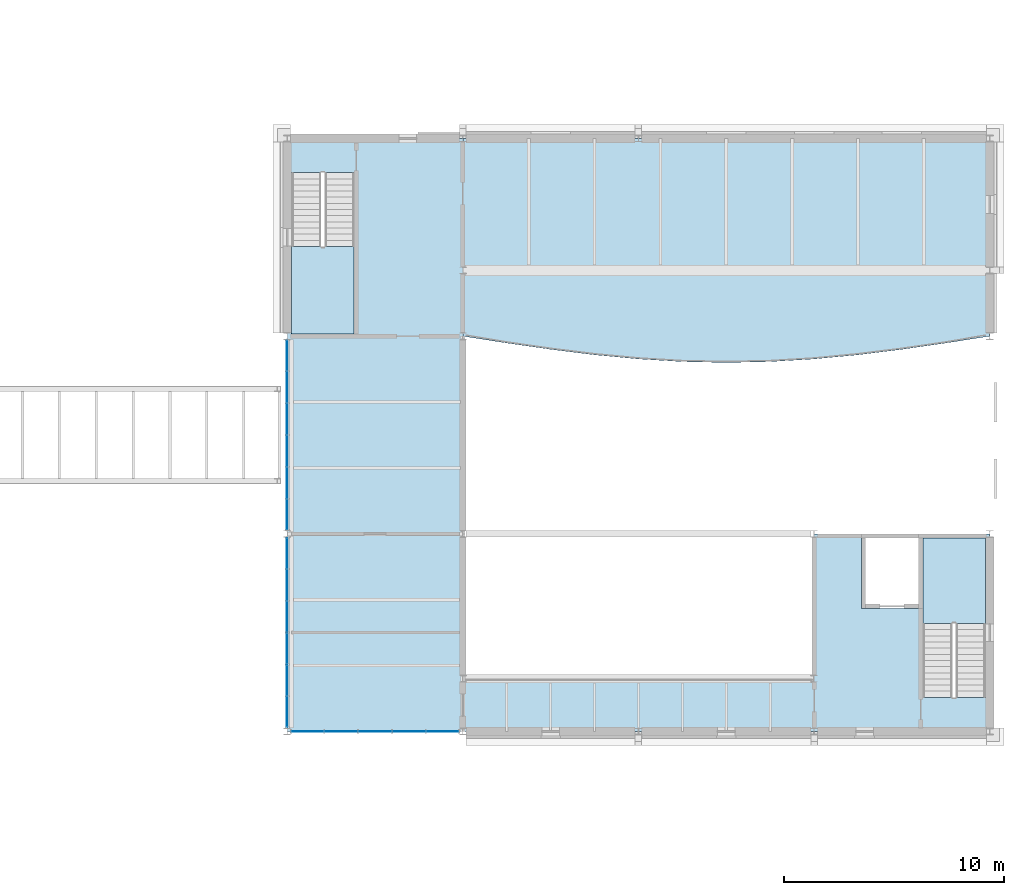
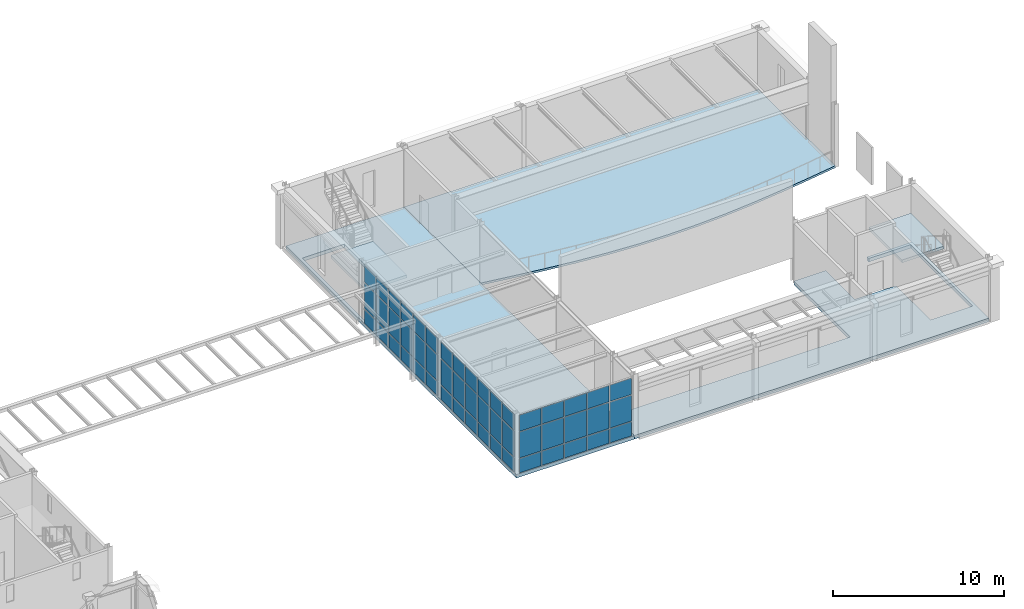
# One storey, part 89 of 153: 51 plates, 5 slabs, 5 elements without a shape of their own.
"""IFC4 building model written with IfcOpenShell, lengths in metres."""

from ifc_helpers import new_model, si_unit, direction, frame, origin, origin_2d, place, context, subcontext, project, spatial, polyline, rectangle, outline, extrude, material, layer, layer_set, type_object, element, aggregate, save


model = new_model("IFC4")

# Units and contexts
model_context = context("Model", 3, precision=1e-05, world=origin(), true_north=direction((0.0, 1.0)))
body_context = subcontext(model_context, "Body", "Model", "MODEL_VIEW")
ifc_project = project(units=[si_unit("LENGTHUNIT", "METRE"), si_unit("AREAUNIT", "SQUARE_METRE"), si_unit("VOLUMEUNIT", "CUBIC_METRE"), si_unit("PLANEANGLEUNIT", "RADIAN"), si_unit("MASSUNIT", "GRAM", prefix="KILO")], contexts=[model_context])

# Site, building, storey
site_placement = place(None, origin())
site = spatial("IfcSite", under=ifc_project, at=site_placement, CompositionType="ELEMENT")
building_placement = place(site_placement, origin())
building = spatial("IfcBuilding", under=site, at=building_placement, Name="Kallimachos Central Library", CompositionType="ELEMENT")
storey_placement = place(building_placement, frame((0.0, 0.0, 5.39990234375)))
storey = spatial("IfcBuildingStorey", under=building, at=storey_placement, Name="L01", CompositionType="ELEMENT", Elevation=5.39990234375)

# Slabs
ifc_material_1 = material(Name="Composite slab C30/37 on steel deck", Category="concrete")
ifc_layer_1 = layer(ifc_material_1, 0.14990234375)
ifc_layer_set_1 = layer_set([ifc_layer_1], Name="Composite floor slab 150")
slab_type_1 = type_object("IfcSlabType", Name="Composite floor slab 150", PredefinedType="FLOOR", material=ifc_layer_set_1)
slab_1_placement = place(storey_placement, frame((0.0, 0.0, -0.14990234375)))
element("IfcSlab", 1, at=slab_1_placement, inside=storey, type_object=slab_type_1, Name="V3-SLB-L01-003", PredefinedType="FLOOR", context=body_context, shape_type="SweptSolid", body=[
    extrude(outline(polyline([(146.0, 114.0), (170.0, 114.0), (170.0, 105.0), (168.0, 104.68896484375), (166.0, 104.39990234375), (164.0, 104.15087890625), (162.0, 103.9609375), (160.0, 103.841064453125), (158.0, 103.800048828125), (156.0, 103.841064453125), (154.0, 103.9609375), (152.0, 104.15087890625), (150.0, 104.39990234375), (148.0, 104.68896484375), (146.0, 105.0), (146.0, 114.0)])), origin(), (0.0, 0.0, 1.0), 0.14990234375),
])
ifc_material_2 = material(Name="Composite slab C30/37 on steel deck", Category="concrete")
ifc_layer_2 = layer(ifc_material_2, 0.25)
ifc_layer_set_2 = layer_set([ifc_layer_2], Name="Core floor slab 250")
slab_type_2 = type_object("IfcSlabType", Name="Core floor slab 250", PredefinedType="FLOOR", material=ifc_layer_set_2)
slab_2_placement = place(storey_placement, frame((0.0, 0.0, -0.25)))
element("IfcSlab", 2, at=slab_2_placement, inside=storey, type_object=slab_type_2, Name="V3-SLB-L01-001", PredefinedType="FLOOR", context=body_context, shape_type="SweptSolid", body=[
    extrude(outline(polyline([(138.0, 87.0), (138.0, 114.0), (146.0, 114.0), (146.0, 87.0), (138.0, 87.0)]), holes=[polyline([(138.199951171875, 105.199951171875), (141.050048828125, 105.199951171875), (141.050048828125, 112.446044921875), (138.199951171875, 112.446044921875), (138.199951171875, 105.199951171875)])]), origin(), (0.0, 0.0, 1.0), 0.25),
])
slab_3_placement = place(storey_placement, frame((0.0, 0.0, -0.25)))
element("IfcSlab", 3, at=slab_3_placement, inside=storey, type_object=slab_type_2, Name="V3-SLB-L01-002", PredefinedType="FLOOR", context=body_context, shape_type="SweptSolid", body=[
    extrude(outline(polyline([(146.0, 89.39990234375), (162.0, 89.39990234375), (162.0, 96.0), (164.14990234375, 96.0), (164.14990234375, 92.60009765625), (166.949951171875, 92.60009765625), (166.949951171875, 88.553955078125), (169.800048828125, 88.553955078125), (169.800048828125, 95.800048828125), (166.949951171875, 95.800048828125), (166.949951171875, 96.0), (170.0, 96.0), (170.0, 87.0), (146.0, 87.0), (146.0, 89.39990234375)])), origin(), (0.0, 0.0, 1.0), 0.25),
])

# Curtain wall, plates
ifc_material_3 = material(Name="Laminated glass in anodised aluminium", Category="aluminium")
curtain_wall_type = type_object("IfcCurtainWallType", Name="Foyer curtain wall", PredefinedType="NOTDEFINED", material=ifc_material_3)
curtain_wall_1_placement = place(storey_placement, origin())
curtain_wall_1 = element("IfcCurtainWall", 4, at=curtain_wall_1_placement, inside=storey, type_object=curtain_wall_type, Name="V3-CWL-L01-001", PredefinedType="NOTDEFINED")
ifc_material_4 = material(Name="Laminated glass", Category="glass")
ifc_layer_3 = layer(ifc_material_4, 0.028076171875)
ifc_layer_set_3 = layer_set([ifc_layer_3], Name="Curtain wall glass panel 28")
plate_type = type_object("IfcPlateType", Name="Curtain wall glass panel 28", PredefinedType="CURTAIN_PANEL", material=ifc_layer_set_3)
plate_1_placement = place(storey_placement, frame((138.0, 87.889892578125, 0.06005859375), z_axis=(0.0, 0.0, 1.0), x_axis=(0.0, 1.0, 0.0)))
plate_1 = element("IfcPlate", 5, at=plate_1_placement, type_object=plate_type, Name="CW panel 1.1", PredefinedType="CURTAIN_PANEL", context=body_context, shape_type="SweptSolid", body=[
    extrude(rectangle(XDim=1.360107421875, YDim=0.028076171875, at=origin_2d()), origin(), (0.0, 0.0, 1.0), 1.010009765625),
])
plate_2_placement = place(storey_placement, frame((138.0, 87.889892578125, 1.1298828125), z_axis=(0.0, 0.0, 1.0), x_axis=(0.0, 1.0, 0.0)))
plate_2 = element("IfcPlate", 6, at=plate_2_placement, type_object=plate_type, Name="CW panel 1.2", PredefinedType="CURTAIN_PANEL", context=body_context, shape_type="SweptSolid", body=[
    extrude(rectangle(XDim=1.360107421875, YDim=0.028076171875, at=origin_2d()), origin(), (0.0, 0.0, 1.0), 1.840087890625),
])
plate_3_placement = place(storey_placement, frame((138.0, 87.889892578125, 3.0302734375), z_axis=(0.0, 0.0, 1.0), x_axis=(0.0, 1.0, 0.0)))
plate_3 = element("IfcPlate", 7, at=plate_3_placement, type_object=plate_type, Name="CW panel 1.3", PredefinedType="CURTAIN_PANEL", context=body_context, shape_type="SweptSolid", body=[
    extrude(rectangle(XDim=1.360107421875, YDim=0.028076171875, at=origin_2d()), origin(), (0.0, 0.0, 1.0), 1.159912109375),
])
plate_4_placement = place(storey_placement, frame((138.0, 89.324951171875, 0.06005859375), z_axis=(0.0, 0.0, 1.0), x_axis=(0.0, 1.0, 0.0)))
plate_4 = element("IfcPlate", 8, at=plate_4_placement, type_object=plate_type, Name="CW panel 2.1", PredefinedType="CURTAIN_PANEL", context=body_context, shape_type="SweptSolid", body=[
    extrude(rectangle(XDim=1.389892578125, YDim=0.028076171875, at=origin_2d()), origin(), (0.0, 0.0, 1.0), 1.010009765625),
])
plate_5_placement = place(storey_placement, frame((138.0, 89.324951171875, 1.1298828125), z_axis=(0.0, 0.0, 1.0), x_axis=(0.0, 1.0, 0.0)))
plate_5 = element("IfcPlate", 9, at=plate_5_placement, type_object=plate_type, Name="CW panel 2.2", PredefinedType="CURTAIN_PANEL", context=body_context, shape_type="SweptSolid", body=[
    extrude(rectangle(XDim=1.389892578125, YDim=0.028076171875, at=origin_2d()), origin(), (0.0, 0.0, 1.0), 1.840087890625),
])
plate_6_placement = place(storey_placement, frame((138.0, 89.324951171875, 3.0302734375), z_axis=(0.0, 0.0, 1.0), x_axis=(0.0, 1.0, 0.0)))
plate_6 = element("IfcPlate", 10, at=plate_6_placement, type_object=plate_type, Name="CW panel 2.3", PredefinedType="CURTAIN_PANEL", context=body_context, shape_type="SweptSolid", body=[
    extrude(rectangle(XDim=1.389892578125, YDim=0.028076171875, at=origin_2d()), origin(), (0.0, 0.0, 1.0), 1.159912109375),
])
plate_7_placement = place(storey_placement, frame((138.0, 90.77490234375, 0.06005859375), z_axis=(0.0, 0.0, 1.0), x_axis=(0.0, 1.0, 0.0)))
plate_7 = element("IfcPlate", 11, at=plate_7_placement, type_object=plate_type, Name="CW panel 3.1", PredefinedType="CURTAIN_PANEL", context=body_context, shape_type="SweptSolid", body=[
    extrude(rectangle(XDim=1.389892578125, YDim=0.028076171875, at=origin_2d()), origin(), (0.0, 0.0, 1.0), 1.010009765625),
])
plate_8_placement = place(storey_placement, frame((138.0, 90.77490234375, 1.1298828125), z_axis=(0.0, 0.0, 1.0), x_axis=(0.0, 1.0, 0.0)))
plate_8 = element("IfcPlate", 12, at=plate_8_placement, type_object=plate_type, Name="CW panel 3.2", PredefinedType="CURTAIN_PANEL", context=body_context, shape_type="SweptSolid", body=[
    extrude(rectangle(XDim=1.389892578125, YDim=0.028076171875, at=origin_2d()), origin(), (0.0, 0.0, 1.0), 1.840087890625),
])
plate_9_placement = place(storey_placement, frame((138.0, 90.77490234375, 3.0302734375), z_axis=(0.0, 0.0, 1.0), x_axis=(0.0, 1.0, 0.0)))
plate_9 = element("IfcPlate", 13, at=plate_9_placement, type_object=plate_type, Name="CW panel 3.3", PredefinedType="CURTAIN_PANEL", context=body_context, shape_type="SweptSolid", body=[
    extrude(rectangle(XDim=1.389892578125, YDim=0.028076171875, at=origin_2d()), origin(), (0.0, 0.0, 1.0), 1.159912109375),
])
plate_10_placement = place(storey_placement, frame((138.0, 92.22509765625, 0.06005859375), z_axis=(0.0, 0.0, 1.0), x_axis=(0.0, 1.0, 0.0)))
plate_10 = element("IfcPlate", 14, at=plate_10_placement, type_object=plate_type, Name="CW panel 4.1", PredefinedType="CURTAIN_PANEL", context=body_context, shape_type="SweptSolid", body=[
    extrude(rectangle(XDim=1.389892578125, YDim=0.028076171875, at=origin_2d()), origin(), (0.0, 0.0, 1.0), 1.010009765625),
])
plate_11_placement = place(storey_placement, frame((138.0, 92.22509765625, 1.1298828125), z_axis=(0.0, 0.0, 1.0), x_axis=(0.0, 1.0, 0.0)))
plate_11 = element("IfcPlate", 15, at=plate_11_placement, type_object=plate_type, Name="CW panel 4.2", PredefinedType="CURTAIN_PANEL", context=body_context, shape_type="SweptSolid", body=[
    extrude(rectangle(XDim=1.389892578125, YDim=0.028076171875, at=origin_2d()), origin(), (0.0, 0.0, 1.0), 1.840087890625),
])
plate_12_placement = place(storey_placement, frame((138.0, 92.22509765625, 3.0302734375), z_axis=(0.0, 0.0, 1.0), x_axis=(0.0, 1.0, 0.0)))
plate_12 = element("IfcPlate", 16, at=plate_12_placement, type_object=plate_type, Name="CW panel 4.3", PredefinedType="CURTAIN_PANEL", context=body_context, shape_type="SweptSolid", body=[
    extrude(rectangle(XDim=1.389892578125, YDim=0.028076171875, at=origin_2d()), origin(), (0.0, 0.0, 1.0), 1.159912109375),
])
plate_13_placement = place(storey_placement, frame((138.0, 93.675048828125, 0.06005859375), z_axis=(0.0, 0.0, 1.0), x_axis=(0.0, 1.0, 0.0)))
plate_13 = element("IfcPlate", 17, at=plate_13_placement, type_object=plate_type, Name="CW panel 5.1", PredefinedType="CURTAIN_PANEL", context=body_context, shape_type="SweptSolid", body=[
    extrude(rectangle(XDim=1.389892578125, YDim=0.028076171875, at=origin_2d()), origin(), (0.0, 0.0, 1.0), 1.010009765625),
])
plate_14_placement = place(storey_placement, frame((138.0, 93.675048828125, 1.1298828125), z_axis=(0.0, 0.0, 1.0), x_axis=(0.0, 1.0, 0.0)))
plate_14 = element("IfcPlate", 18, at=plate_14_placement, type_object=plate_type, Name="CW panel 5.2", PredefinedType="CURTAIN_PANEL", context=body_context, shape_type="SweptSolid", body=[
    extrude(rectangle(XDim=1.389892578125, YDim=0.028076171875, at=origin_2d()), origin(), (0.0, 0.0, 1.0), 1.840087890625),
])
plate_15_placement = place(storey_placement, frame((138.0, 93.675048828125, 3.0302734375), z_axis=(0.0, 0.0, 1.0), x_axis=(0.0, 1.0, 0.0)))
plate_15 = element("IfcPlate", 19, at=plate_15_placement, type_object=plate_type, Name="CW panel 5.3", PredefinedType="CURTAIN_PANEL", context=body_context, shape_type="SweptSolid", body=[
    extrude(rectangle(XDim=1.389892578125, YDim=0.028076171875, at=origin_2d()), origin(), (0.0, 0.0, 1.0), 1.159912109375),
])
plate_16_placement = place(storey_placement, frame((138.0, 95.110107421875, 0.06005859375), z_axis=(0.0, 0.0, 1.0), x_axis=(0.0, 1.0, 0.0)))
plate_16 = element("IfcPlate", 20, at=plate_16_placement, type_object=plate_type, Name="CW panel 6.1", PredefinedType="CURTAIN_PANEL", context=body_context, shape_type="SweptSolid", body=[
    extrude(rectangle(XDim=1.360107421875, YDim=0.028076171875, at=origin_2d()), origin(), (0.0, 0.0, 1.0), 1.010009765625),
])
plate_17_placement = place(storey_placement, frame((138.0, 95.110107421875, 1.1298828125), z_axis=(0.0, 0.0, 1.0), x_axis=(0.0, 1.0, 0.0)))
plate_17 = element("IfcPlate", 21, at=plate_17_placement, type_object=plate_type, Name="CW panel 6.2", PredefinedType="CURTAIN_PANEL", context=body_context, shape_type="SweptSolid", body=[
    extrude(rectangle(XDim=1.360107421875, YDim=0.028076171875, at=origin_2d()), origin(), (0.0, 0.0, 1.0), 1.840087890625),
])
plate_18_placement = place(storey_placement, frame((138.0, 95.110107421875, 3.0302734375), z_axis=(0.0, 0.0, 1.0), x_axis=(0.0, 1.0, 0.0)))
plate_18 = element("IfcPlate", 22, at=plate_18_placement, type_object=plate_type, Name="CW panel 6.3", PredefinedType="CURTAIN_PANEL", context=body_context, shape_type="SweptSolid", body=[
    extrude(rectangle(XDim=1.360107421875, YDim=0.028076171875, at=origin_2d()), origin(), (0.0, 0.0, 1.0), 1.159912109375),
])
aggregate(curtain_wall_1, [plate_1, plate_2, plate_3, plate_4, plate_5, plate_6, plate_7, plate_8, plate_9, plate_10, plate_11, plate_12, plate_13, plate_14, plate_15, plate_16, plate_17, plate_18])

curtain_wall_2_placement = place(storey_placement, origin())
curtain_wall_2 = element("IfcCurtainWall", 23, at=curtain_wall_2_placement, inside=storey, type_object=curtain_wall_type, Name="V3-CWL-L01-002", PredefinedType="NOTDEFINED")
plate_19_placement = place(storey_placement, frame((138.0, 96.889892578125, 0.06005859375), z_axis=(0.0, 0.0, 1.0), x_axis=(0.0, 1.0, 0.0)))
plate_19 = element("IfcPlate", 24, at=plate_19_placement, type_object=plate_type, Name="CW panel 1.1", PredefinedType="CURTAIN_PANEL", context=body_context, shape_type="SweptSolid", body=[
    extrude(rectangle(XDim=1.360107421875, YDim=0.028076171875, at=origin_2d()), origin(), (0.0, 0.0, 1.0), 1.010009765625),
])
plate_20_placement = place(storey_placement, frame((138.0, 96.889892578125, 1.1298828125), z_axis=(0.0, 0.0, 1.0), x_axis=(0.0, 1.0, 0.0)))
plate_20 = element("IfcPlate", 25, at=plate_20_placement, type_object=plate_type, Name="CW panel 1.2", PredefinedType="CURTAIN_PANEL", context=body_context, shape_type="SweptSolid", body=[
    extrude(rectangle(XDim=1.360107421875, YDim=0.028076171875, at=origin_2d()), origin(), (0.0, 0.0, 1.0), 1.840087890625),
])
plate_21_placement = place(storey_placement, frame((138.0, 96.889892578125, 3.0302734375), z_axis=(0.0, 0.0, 1.0), x_axis=(0.0, 1.0, 0.0)))
plate_21 = element("IfcPlate", 26, at=plate_21_placement, type_object=plate_type, Name="CW panel 1.3", PredefinedType="CURTAIN_PANEL", context=body_context, shape_type="SweptSolid", body=[
    extrude(rectangle(XDim=1.360107421875, YDim=0.028076171875, at=origin_2d()), origin(), (0.0, 0.0, 1.0), 1.159912109375),
])
plate_22_placement = place(storey_placement, frame((138.0, 98.324951171875, 0.06005859375), z_axis=(0.0, 0.0, 1.0), x_axis=(0.0, 1.0, 0.0)))
plate_22 = element("IfcPlate", 27, at=plate_22_placement, type_object=plate_type, Name="CW panel 2.1", PredefinedType="CURTAIN_PANEL", context=body_context, shape_type="SweptSolid", body=[
    extrude(rectangle(XDim=1.389892578125, YDim=0.028076171875, at=origin_2d()), origin(), (0.0, 0.0, 1.0), 1.010009765625),
])
plate_23_placement = place(storey_placement, frame((138.0, 98.324951171875, 1.1298828125), z_axis=(0.0, 0.0, 1.0), x_axis=(0.0, 1.0, 0.0)))
plate_23 = element("IfcPlate", 28, at=plate_23_placement, type_object=plate_type, Name="CW panel 2.2", PredefinedType="CURTAIN_PANEL", context=body_context, shape_type="SweptSolid", body=[
    extrude(rectangle(XDim=1.389892578125, YDim=0.028076171875, at=origin_2d()), origin(), (0.0, 0.0, 1.0), 1.840087890625),
])
plate_24_placement = place(storey_placement, frame((138.0, 98.324951171875, 3.0302734375), z_axis=(0.0, 0.0, 1.0), x_axis=(0.0, 1.0, 0.0)))
plate_24 = element("IfcPlate", 29, at=plate_24_placement, type_object=plate_type, Name="CW panel 2.3", PredefinedType="CURTAIN_PANEL", context=body_context, shape_type="SweptSolid", body=[
    extrude(rectangle(XDim=1.389892578125, YDim=0.028076171875, at=origin_2d()), origin(), (0.0, 0.0, 1.0), 1.159912109375),
])
plate_25_placement = place(storey_placement, frame((138.0, 99.77490234375, 0.06005859375), z_axis=(0.0, 0.0, 1.0), x_axis=(0.0, 1.0, 0.0)))
plate_25 = element("IfcPlate", 30, at=plate_25_placement, type_object=plate_type, Name="CW panel 3.1", PredefinedType="CURTAIN_PANEL", context=body_context, shape_type="SweptSolid", body=[
    extrude(rectangle(XDim=1.389892578125, YDim=0.028076171875, at=origin_2d()), origin(), (0.0, 0.0, 1.0), 1.010009765625),
])
plate_26_placement = place(storey_placement, frame((138.0, 99.77490234375, 1.1298828125), z_axis=(0.0, 0.0, 1.0), x_axis=(0.0, 1.0, 0.0)))
plate_26 = element("IfcPlate", 31, at=plate_26_placement, type_object=plate_type, Name="CW panel 3.2", PredefinedType="CURTAIN_PANEL", context=body_context, shape_type="SweptSolid", body=[
    extrude(rectangle(XDim=1.389892578125, YDim=0.028076171875, at=origin_2d()), origin(), (0.0, 0.0, 1.0), 1.840087890625),
])
plate_27_placement = place(storey_placement, frame((138.0, 99.77490234375, 3.0302734375), z_axis=(0.0, 0.0, 1.0), x_axis=(0.0, 1.0, 0.0)))
plate_27 = element("IfcPlate", 32, at=plate_27_placement, type_object=plate_type, Name="CW panel 3.3", PredefinedType="CURTAIN_PANEL", context=body_context, shape_type="SweptSolid", body=[
    extrude(rectangle(XDim=1.389892578125, YDim=0.028076171875, at=origin_2d()), origin(), (0.0, 0.0, 1.0), 1.159912109375),
])
plate_28_placement = place(storey_placement, frame((138.0, 101.22509765625, 0.06005859375), z_axis=(0.0, 0.0, 1.0), x_axis=(0.0, 1.0, 0.0)))
plate_28 = element("IfcPlate", 33, at=plate_28_placement, type_object=plate_type, Name="CW panel 4.1", PredefinedType="CURTAIN_PANEL", context=body_context, shape_type="SweptSolid", body=[
    extrude(rectangle(XDim=1.389892578125, YDim=0.028076171875, at=origin_2d()), origin(), (0.0, 0.0, 1.0), 1.010009765625),
])
plate_29_placement = place(storey_placement, frame((138.0, 101.22509765625, 1.1298828125), z_axis=(0.0, 0.0, 1.0), x_axis=(0.0, 1.0, 0.0)))
plate_29 = element("IfcPlate", 34, at=plate_29_placement, type_object=plate_type, Name="CW panel 4.2", PredefinedType="CURTAIN_PANEL", context=body_context, shape_type="SweptSolid", body=[
    extrude(rectangle(XDim=1.389892578125, YDim=0.028076171875, at=origin_2d()), origin(), (0.0, 0.0, 1.0), 1.840087890625),
])
plate_30_placement = place(storey_placement, frame((138.0, 101.22509765625, 3.0302734375), z_axis=(0.0, 0.0, 1.0), x_axis=(0.0, 1.0, 0.0)))
plate_30 = element("IfcPlate", 35, at=plate_30_placement, type_object=plate_type, Name="CW panel 4.3", PredefinedType="CURTAIN_PANEL", context=body_context, shape_type="SweptSolid", body=[
    extrude(rectangle(XDim=1.389892578125, YDim=0.028076171875, at=origin_2d()), origin(), (0.0, 0.0, 1.0), 1.159912109375),
])
plate_31_placement = place(storey_placement, frame((138.0, 102.675048828125, 0.06005859375), z_axis=(0.0, 0.0, 1.0), x_axis=(0.0, 1.0, 0.0)))
plate_31 = element("IfcPlate", 36, at=plate_31_placement, type_object=plate_type, Name="CW panel 5.1", PredefinedType="CURTAIN_PANEL", context=body_context, shape_type="SweptSolid", body=[
    extrude(rectangle(XDim=1.389892578125, YDim=0.028076171875, at=origin_2d()), origin(), (0.0, 0.0, 1.0), 1.010009765625),
])
plate_32_placement = place(storey_placement, frame((138.0, 102.675048828125, 1.1298828125), z_axis=(0.0, 0.0, 1.0), x_axis=(0.0, 1.0, 0.0)))
plate_32 = element("IfcPlate", 37, at=plate_32_placement, type_object=plate_type, Name="CW panel 5.2", PredefinedType="CURTAIN_PANEL", context=body_context, shape_type="SweptSolid", body=[
    extrude(rectangle(XDim=1.389892578125, YDim=0.028076171875, at=origin_2d()), origin(), (0.0, 0.0, 1.0), 1.840087890625),
])
plate_33_placement = place(storey_placement, frame((138.0, 102.675048828125, 3.0302734375), z_axis=(0.0, 0.0, 1.0), x_axis=(0.0, 1.0, 0.0)))
plate_33 = element("IfcPlate", 38, at=plate_33_placement, type_object=plate_type, Name="CW panel 5.3", PredefinedType="CURTAIN_PANEL", context=body_context, shape_type="SweptSolid", body=[
    extrude(rectangle(XDim=1.389892578125, YDim=0.028076171875, at=origin_2d()), origin(), (0.0, 0.0, 1.0), 1.159912109375),
])
plate_34_placement = place(storey_placement, frame((138.0, 104.110107421875, 0.06005859375), z_axis=(0.0, 0.0, 1.0), x_axis=(0.0, 1.0, 0.0)))
plate_34 = element("IfcPlate", 39, at=plate_34_placement, type_object=plate_type, Name="CW panel 6.1", PredefinedType="CURTAIN_PANEL", context=body_context, shape_type="SweptSolid", body=[
    extrude(rectangle(XDim=1.360107421875, YDim=0.028076171875, at=origin_2d()), origin(), (0.0, 0.0, 1.0), 1.010009765625),
])
plate_35_placement = place(storey_placement, frame((138.0, 104.110107421875, 1.1298828125), z_axis=(0.0, 0.0, 1.0), x_axis=(0.0, 1.0, 0.0)))
plate_35 = element("IfcPlate", 40, at=plate_35_placement, type_object=plate_type, Name="CW panel 6.2", PredefinedType="CURTAIN_PANEL", context=body_context, shape_type="SweptSolid", body=[
    extrude(rectangle(XDim=1.360107421875, YDim=0.028076171875, at=origin_2d()), origin(), (0.0, 0.0, 1.0), 1.840087890625),
])
plate_36_placement = place(storey_placement, frame((138.0, 104.110107421875, 3.0302734375), z_axis=(0.0, 0.0, 1.0), x_axis=(0.0, 1.0, 0.0)))
plate_36 = element("IfcPlate", 41, at=plate_36_placement, type_object=plate_type, Name="CW panel 6.3", PredefinedType="CURTAIN_PANEL", context=body_context, shape_type="SweptSolid", body=[
    extrude(rectangle(XDim=1.360107421875, YDim=0.028076171875, at=origin_2d()), origin(), (0.0, 0.0, 1.0), 1.159912109375),
])
aggregate(curtain_wall_2, [plate_19, plate_20, plate_21, plate_22, plate_23, plate_24, plate_25, plate_26, plate_27, plate_28, plate_29, plate_30, plate_31, plate_32, plate_33, plate_34, plate_35, plate_36])

curtain_wall_3_placement = place(storey_placement, origin())
curtain_wall_3 = element("IfcCurtainWall", 42, at=curtain_wall_3_placement, inside=storey, type_object=curtain_wall_type, Name="V3-CWL-L01-003", PredefinedType="NOTDEFINED")
plate_37_placement = place(storey_placement, frame((138.93505859375, 87.0, 0.06005859375), z_axis=(0.0, 0.0, 1.0), x_axis=(1.0, 0.0, 0.0)))
plate_37 = element("IfcPlate", 43, at=plate_37_placement, type_object=plate_type, Name="CW panel 1.1", PredefinedType="CURTAIN_PANEL", context=body_context, shape_type="SweptSolid", body=[
    extrude(rectangle(XDim=1.449951171875, YDim=0.028076171875, at=origin_2d()), origin(), (0.0, 0.0, 1.0), 1.010009765625),
])
plate_38_placement = place(storey_placement, frame((138.93505859375, 87.0, 1.1298828125), z_axis=(0.0, 0.0, 1.0), x_axis=(1.0, 0.0, 0.0)))
plate_38 = element("IfcPlate", 44, at=plate_38_placement, type_object=plate_type, Name="CW panel 1.2", PredefinedType="CURTAIN_PANEL", context=body_context, shape_type="SweptSolid", body=[
    extrude(rectangle(XDim=1.449951171875, YDim=0.028076171875, at=origin_2d()), origin(), (0.0, 0.0, 1.0), 1.840087890625),
])
plate_39_placement = place(storey_placement, frame((138.93505859375, 87.0, 3.0302734375), z_axis=(0.0, 0.0, 1.0), x_axis=(1.0, 0.0, 0.0)))
plate_39 = element("IfcPlate", 45, at=plate_39_placement, type_object=plate_type, Name="CW panel 1.3", PredefinedType="CURTAIN_PANEL", context=body_context, shape_type="SweptSolid", body=[
    extrude(rectangle(XDim=1.449951171875, YDim=0.028076171875, at=origin_2d()), origin(), (0.0, 0.0, 1.0), 1.159912109375),
])
plate_40_placement = place(storey_placement, frame((140.4599609375, 87.0, 0.06005859375), z_axis=(0.0, 0.0, 1.0), x_axis=(1.0, 0.0, 0.0)))
plate_40 = element("IfcPlate", 46, at=plate_40_placement, type_object=plate_type, Name="CW panel 2.1", PredefinedType="CURTAIN_PANEL", context=body_context, shape_type="SweptSolid", body=[
    extrude(rectangle(XDim=1.47998046875, YDim=0.028076171875, at=origin_2d()), origin(), (0.0, 0.0, 1.0), 1.010009765625),
])
plate_41_placement = place(storey_placement, frame((140.4599609375, 87.0, 1.1298828125), z_axis=(0.0, 0.0, 1.0), x_axis=(1.0, 0.0, 0.0)))
plate_41 = element("IfcPlate", 47, at=plate_41_placement, type_object=plate_type, Name="CW panel 2.2", PredefinedType="CURTAIN_PANEL", context=body_context, shape_type="SweptSolid", body=[
    extrude(rectangle(XDim=1.47998046875, YDim=0.028076171875, at=origin_2d()), origin(), (0.0, 0.0, 1.0), 1.840087890625),
])
plate_42_placement = place(storey_placement, frame((140.4599609375, 87.0, 3.0302734375), z_axis=(0.0, 0.0, 1.0), x_axis=(1.0, 0.0, 0.0)))
plate_42 = element("IfcPlate", 48, at=plate_42_placement, type_object=plate_type, Name="CW panel 2.3", PredefinedType="CURTAIN_PANEL", context=body_context, shape_type="SweptSolid", body=[
    extrude(rectangle(XDim=1.47998046875, YDim=0.028076171875, at=origin_2d()), origin(), (0.0, 0.0, 1.0), 1.159912109375),
])
plate_43_placement = place(storey_placement, frame((142.0, 87.0, 0.06005859375), z_axis=(0.0, 0.0, 1.0), x_axis=(1.0, 0.0, 0.0)))
plate_43 = element("IfcPlate", 49, at=plate_43_placement, type_object=plate_type, Name="CW panel 3.1", PredefinedType="CURTAIN_PANEL", context=body_context, shape_type="SweptSolid", body=[
    extrude(rectangle(XDim=1.47998046875, YDim=0.028076171875, at=origin_2d()), origin(), (0.0, 0.0, 1.0), 1.010009765625),
])
plate_44_placement = place(storey_placement, frame((142.0, 87.0, 1.1298828125), z_axis=(0.0, 0.0, 1.0), x_axis=(1.0, 0.0, 0.0)))
plate_44 = element("IfcPlate", 50, at=plate_44_placement, type_object=plate_type, Name="CW panel 3.2", PredefinedType="CURTAIN_PANEL", context=body_context, shape_type="SweptSolid", body=[
    extrude(rectangle(XDim=1.47998046875, YDim=0.028076171875, at=origin_2d()), origin(), (0.0, 0.0, 1.0), 1.840087890625),
])
plate_45_placement = place(storey_placement, frame((142.0, 87.0, 3.0302734375), z_axis=(0.0, 0.0, 1.0), x_axis=(1.0, 0.0, 0.0)))
plate_45 = element("IfcPlate", 51, at=plate_45_placement, type_object=plate_type, Name="CW panel 3.3", PredefinedType="CURTAIN_PANEL", context=body_context, shape_type="SweptSolid", body=[
    extrude(rectangle(XDim=1.47998046875, YDim=0.028076171875, at=origin_2d()), origin(), (0.0, 0.0, 1.0), 1.159912109375),
])
plate_46_placement = place(storey_placement, frame((143.5400390625, 87.0, 0.06005859375), z_axis=(0.0, 0.0, 1.0), x_axis=(1.0, 0.0, 0.0)))
plate_46 = element("IfcPlate", 52, at=plate_46_placement, type_object=plate_type, Name="CW panel 4.1", PredefinedType="CURTAIN_PANEL", context=body_context, shape_type="SweptSolid", body=[
    extrude(rectangle(XDim=1.47998046875, YDim=0.028076171875, at=origin_2d()), origin(), (0.0, 0.0, 1.0), 1.010009765625),
])
plate_47_placement = place(storey_placement, frame((143.5400390625, 87.0, 1.1298828125), z_axis=(0.0, 0.0, 1.0), x_axis=(1.0, 0.0, 0.0)))
plate_47 = element("IfcPlate", 53, at=plate_47_placement, type_object=plate_type, Name="CW panel 4.2", PredefinedType="CURTAIN_PANEL", context=body_context, shape_type="SweptSolid", body=[
    extrude(rectangle(XDim=1.47998046875, YDim=0.028076171875, at=origin_2d()), origin(), (0.0, 0.0, 1.0), 1.840087890625),
])
plate_48_placement = place(storey_placement, frame((143.5400390625, 87.0, 3.0302734375), z_axis=(0.0, 0.0, 1.0), x_axis=(1.0, 0.0, 0.0)))
plate_48 = element("IfcPlate", 54, at=plate_48_placement, type_object=plate_type, Name="CW panel 4.3", PredefinedType="CURTAIN_PANEL", context=body_context, shape_type="SweptSolid", body=[
    extrude(rectangle(XDim=1.47998046875, YDim=0.028076171875, at=origin_2d()), origin(), (0.0, 0.0, 1.0), 1.159912109375),
])
plate_49_placement = place(storey_placement, frame((145.06494140625, 87.0, 0.06005859375), z_axis=(0.0, 0.0, 1.0), x_axis=(1.0, 0.0, 0.0)))
plate_49 = element("IfcPlate", 55, at=plate_49_placement, type_object=plate_type, Name="CW panel 5.1", PredefinedType="CURTAIN_PANEL", context=body_context, shape_type="SweptSolid", body=[
    extrude(rectangle(XDim=1.449951171875, YDim=0.028076171875, at=origin_2d()), origin(), (0.0, 0.0, 1.0), 1.010009765625),
])
plate_50_placement = place(storey_placement, frame((145.06494140625, 87.0, 1.1298828125), z_axis=(0.0, 0.0, 1.0), x_axis=(1.0, 0.0, 0.0)))
plate_50 = element("IfcPlate", 56, at=plate_50_placement, type_object=plate_type, Name="CW panel 5.2", PredefinedType="CURTAIN_PANEL", context=body_context, shape_type="SweptSolid", body=[
    extrude(rectangle(XDim=1.449951171875, YDim=0.028076171875, at=origin_2d()), origin(), (0.0, 0.0, 1.0), 1.840087890625),
])
plate_51_placement = place(storey_placement, frame((145.06494140625, 87.0, 3.0302734375), z_axis=(0.0, 0.0, 1.0), x_axis=(1.0, 0.0, 0.0)))
plate_51 = element("IfcPlate", 57, at=plate_51_placement, type_object=plate_type, Name="CW panel 5.3", PredefinedType="CURTAIN_PANEL", context=body_context, shape_type="SweptSolid", body=[
    extrude(rectangle(XDim=1.449951171875, YDim=0.028076171875, at=origin_2d()), origin(), (0.0, 0.0, 1.0), 1.159912109375),
])
aggregate(curtain_wall_3, [plate_37, plate_38, plate_39, plate_40, plate_41, plate_42, plate_43, plate_44, plate_45, plate_46, plate_47, plate_48, plate_49, plate_50, plate_51])

# Stair, slab
ifc_material_5 = material(Name="Concrete C30/37", Category="concrete")
stair_type = type_object("IfcStairType", Name="Stair V3", PredefinedType="HALF_TURN_STAIR", material=ifc_material_5)
stair_1_placement = place(storey_placement, origin())
stair_1 = element("IfcStair", 58, at=stair_1_placement, inside=storey, type_object=stair_type, Name="L01 stair ST7", PredefinedType="HALF_TURN_STAIR")
ifc_material_6 = material(Name="Concrete C30/37", Category="concrete")
ifc_layer_4 = layer(ifc_material_6, 0.199951171875)
ifc_layer_set_4 = layer_set([ifc_layer_4], Name="Stair landing 200")
slab_type_3 = type_object("IfcSlabType", Name="Stair landing 200", PredefinedType="LANDING", material=ifc_layer_set_4)
slab_4_placement = place(storey_placement, frame((0.0, 0.0, 2.050048828125)))
slab_4 = element("IfcSlab", 59, at=slab_4_placement, type_object=slab_type_3, Name="ST7 landing 1", PredefinedType="LANDING", context=body_context, shape_type="SweptSolid", body=[
    extrude(outline(polyline([(169.800048828125, 91.909912109375), (169.800048828125, 95.800048828125), (166.949951171875, 95.800048828125), (166.949951171875, 91.909912109375), (169.800048828125, 91.909912109375)])), origin(), (0.0, 0.0, 1.0), 0.199951171875),
])
aggregate(stair_1, [slab_4])

stair_2_placement = place(storey_placement, origin())
stair_2 = element("IfcStair", 60, at=stair_2_placement, inside=storey, type_object=stair_type, Name="L01 stair ST8", PredefinedType="HALF_TURN_STAIR")
slab_5_placement = place(storey_placement, frame((0.0, 0.0, 2.050048828125)))
slab_5 = element("IfcSlab", 61, at=slab_5_placement, type_object=slab_type_3, Name="ST8 landing 1", PredefinedType="LANDING", context=body_context, shape_type="SweptSolid", body=[
    extrude(outline(polyline([(138.199951171875, 105.10009765625), (141.050048828125, 105.10009765625), (141.050048828125, 109.090087890625), (138.199951171875, 109.090087890625), (138.199951171875, 105.10009765625)])), origin(), (0.0, 0.0, 1.0), 0.199951171875),
])
aggregate(stair_2, [slab_5])

save(model, "model.ifc")
